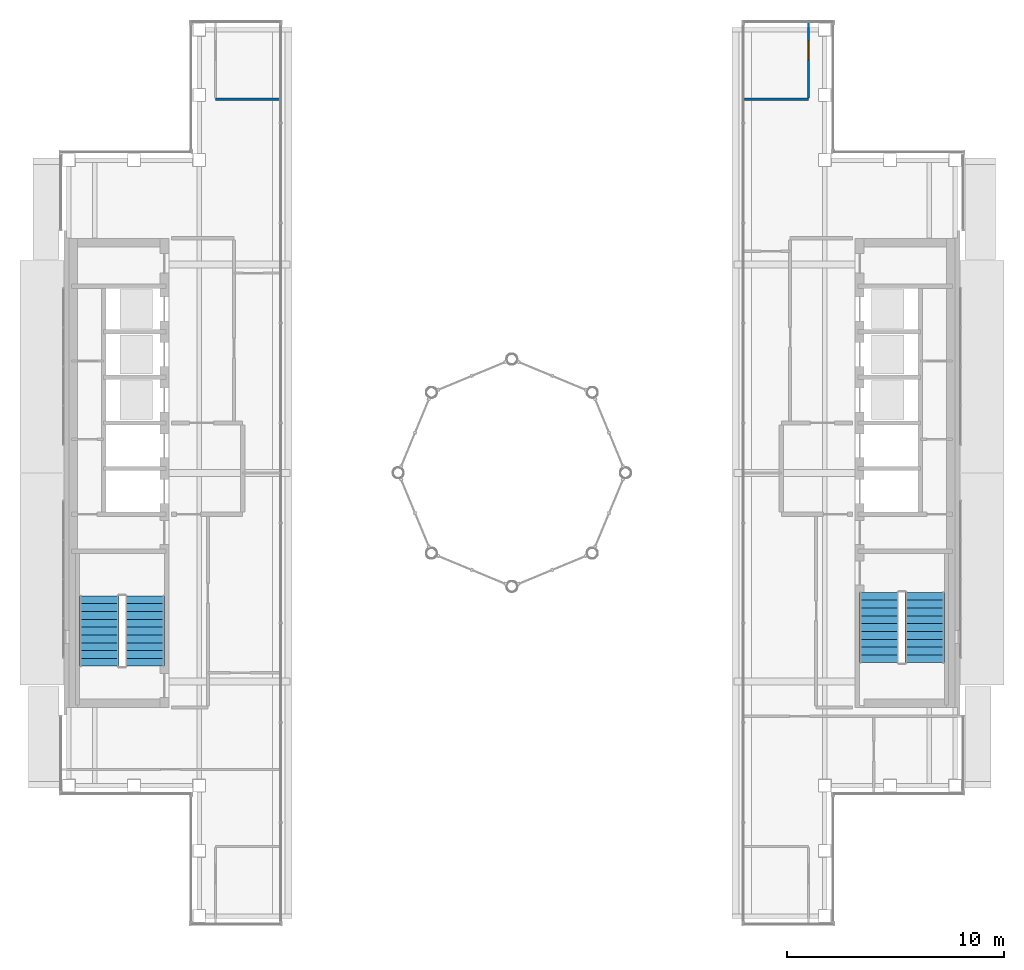
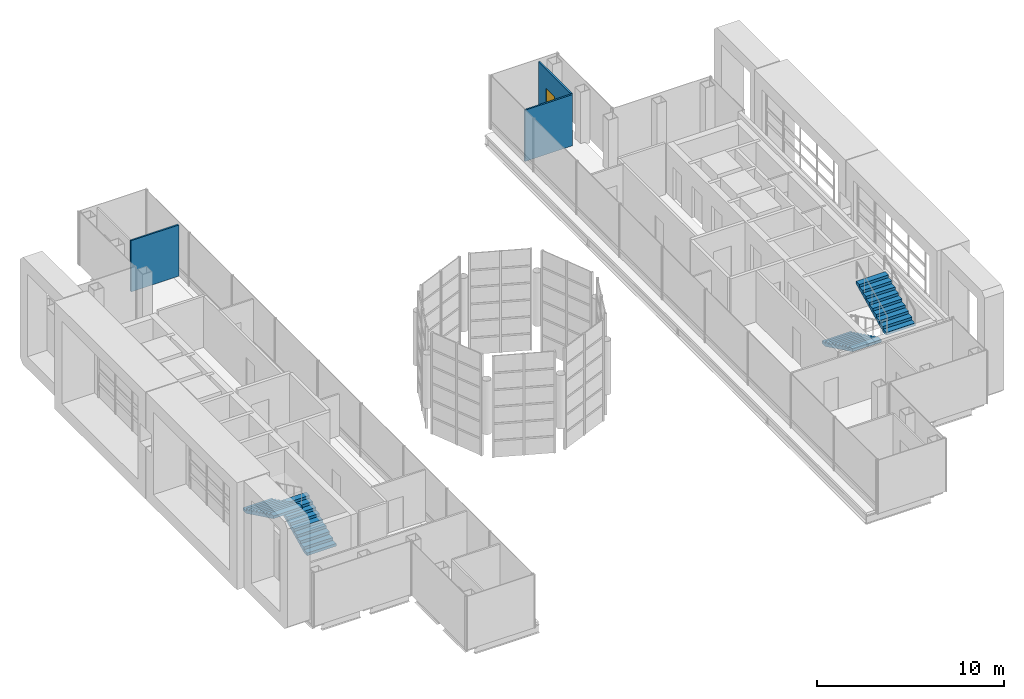
# One storey, part 15 of 21: 4 stair flights, 3 walls, 1 door, 1 opening, 2 elements without a shape of their own.
"""IFC4 building model written with IfcOpenShell, lengths in metres."""

from ifc_helpers import new_model, si_unit, direction, frame, frame_2d, origin, place, context, subcontext, project, spatial, polyline, rectangle, outline, extrude, material, layer, layer_set, type_object, element, fill, aggregate, save


model = new_model("IFC4")

# Units and contexts
model_context = context("Model", 3, precision=1e-05, world=origin(), true_north=direction((0.0, 1.0)))
body_context = subcontext(model_context, "Body", "Model", "MODEL_VIEW")
ifc_project = project(units=[si_unit("LENGTHUNIT", "METRE"), si_unit("AREAUNIT", "SQUARE_METRE"), si_unit("VOLUMEUNIT", "CUBIC_METRE"), si_unit("PLANEANGLEUNIT", "RADIAN"), si_unit("MASSUNIT", "GRAM", prefix="KILO")], contexts=[model_context])

# Site, building, storey
site_placement = place(None, origin())
site = spatial("IfcSite", under=ifc_project, at=site_placement, CompositionType="ELEMENT")
building_placement = place(site_placement, origin())
building = spatial("IfcBuilding", under=site, at=building_placement, Name="Cobrizo Arcos Hotel Tower", CompositionType="ELEMENT")
storey_placement = place(building_placement, frame((0.0, 0.0, 283.0)))
storey = spatial("IfcBuildingStorey", under=building, at=storey_placement, Name="L75", CompositionType="ELEMENT", Elevation=283.0)

# Walls
ifc_material_1 = material(Name="Gypsum board partition")
ifc_layer = layer(ifc_material_1, 0.10009765625)
ifc_layer_set = layer_set([ifc_layer], Name="Partition EI 30 100")
wall_type = type_object("IfcWallType", Name="Partition EI 30 100", PredefinedType="PARTITIONING", material=ifc_layer_set)
for number, where, z_axis, x_axis, name in (
    (1, (-13.64990234375, 17.199951171875, 0.0), (0.0, 0.0, 1.0), (1.0, 0.0, 0.0), "Partition 036"),
    (2, (10.696044921875, 17.199951171875, 0.0), (0.0, 0.0, 1.0), (1.0, 0.0, 0.0), "Partition 037"),
):
    element("IfcWall", number, at=place(storey_placement, frame(where, z_axis=z_axis, x_axis=x_axis)), inside=storey, type_object=wall_type, Name=name, PredefinedType="PARTITIONING", context=body_context, shape_type="SweptSolid", body=[
        extrude(rectangle(XDim=2.953857421875, YDim=0.10009765625, at=frame_2d((1.47705078125, 0.0))), origin(), (0.0, 0.0, 1.0), 3.35009765625),
    ])

# Wall, opening, door
wall_placement = place(storey_placement, frame((13.64990234375, 17.25, 0.0), z_axis=(0.0, 0.0, 1.0), x_axis=(0.0, 1.0, 0.0)))
wall = element("IfcWall", 3, at=wall_placement, inside=storey, type_object=wall_type, Name="Partition 048", PredefinedType="PARTITIONING", context=body_context, shape_type="SweptSolid", body=[
    extrude(rectangle(XDim=3.47998046875, YDim=0.10009765625, at=frame_2d((1.739990234375, 0.0))), origin(), (0.0, 0.0, 1.0), 3.35009765625),
])
opening_placement = place(wall_placement, frame((1.739990234375, 0.0, 0.0)))
opening = element("IfcOpeningElement", 4, at=opening_placement, cuts=wall, Name="Opening ED-03", PredefinedType="OPENING", context=body_context, shape_type="SweptSolid", body=[
    extrude(rectangle(XDim=0.89990234375, YDim=2.10009765625, at=frame_2d((0.449951171875, 1.050048828125))), frame((0.0, 0.06201171875, 0.0), z_axis=(0.0, -1.0, 0.0), x_axis=(1.0, 0.0, 0.0)), (0.0, 0.0, 1.0), 0.1240234375),
])
ifc_material_2 = material(Name="Timber door leaf", Category="wood")
door_type = type_object("IfcDoorType", Name="En-suite door 900x2100", OperationType="SINGLE_SWING_LEFT", PredefinedType="DOOR", material=ifc_material_2)
door_placement = place(opening_placement, origin())
door = element("IfcDoor", 5, at=door_placement, inside=storey, type_object=door_type, Name="Door ED-03", OperationType="SINGLE_SWING_RIGHT", OverallHeight=2.10009765625, OverallWidth=0.89990234375, PredefinedType="DOOR", context=body_context, shape_type="SweptSolid", body=[
    extrude(rectangle(XDim=0.89990234375, YDim=2.10009765625, at=frame_2d((0.449951171875, 1.050048828125))), frame((0.0, 0.02490234375, 0.0), z_axis=(0.0, -1.0, 0.0), x_axis=(1.0, 0.0, 0.0)), (0.0, 0.0, 1.0), 0.050048828125),
])
fill(opening, door)

# Stair, stair flights
ifc_material_3 = material(Name="Concrete f'c 40 MPa", Category="concrete")
stair_type = type_object("IfcStairType", Name="Exit stair", PredefinedType="HALF_TURN_STAIR", material=ifc_material_3)
stair_1_placement = place(storey_placement, origin())
stair_1 = element("IfcStair", 6, at=stair_1_placement, inside=storey, type_object=stair_type, Name="L75 Exit stair ST-W", PredefinedType="HALF_TURN_STAIR")
stair_flight_type = type_object("IfcStairFlightType", Name="Exit stair flight", PredefinedType="STRAIGHT", material=ifc_material_3)
stair_flight_1_placement = place(storey_placement, frame((-16.89990234375, -8.89990234375, 0.0), z_axis=(0.0, 0.0, 1.0), x_axis=(0.0, 1.0, 0.0)))
stair_flight_1 = element("IfcStairFlight", 7, at=stair_flight_1_placement, type_object=stair_flight_type, Name="ST-W flight 1", NumberOfRisers=10, NumberOfTreads=9, PredefinedType="STRAIGHT", RiserHeight=0.175, TreadLength=0.36, context=body_context, shape_type="SweptSolid", body=[
    extrude(outline(polyline([(0.0, 0.0), (0.0, 0.175048828125), (0.360107421875, 0.175048828125), (0.360107421875, 0.35009765625), (0.719970703125, 0.35009765625), (0.719970703125, 0.52490234375), (1.080078125, 0.52490234375), (1.080078125, 0.699951171875), (1.43994140625, 0.699951171875), (1.43994140625, 0.875), (1.800048828125, 0.875), (1.800048828125, 1.050048828125), (2.159912109375, 1.050048828125), (2.159912109375, 1.22509765625), (2.52001953125, 1.22509765625), (2.52001953125, 1.39990234375), (2.8798828125, 1.39990234375), (2.8798828125, 1.574951171875), (3.239990234375, 1.574951171875), (3.239990234375, 1.75), (3.239990234375, 1.408203125), (0.3427734375, 0.0), (0.0, 0.0)])), frame((0.0, 0.89990234375, 0.0), z_axis=(0.0, -1.0, 0.0), x_axis=(1.0, 0.0, 0.0)), (0.0, 0.0, 1.0), 1.800048828125),
])
stair_flight_2_placement = place(storey_placement, frame((-19.0, -5.659912109375, 1.75), z_axis=(0.0, 0.0, 1.0), x_axis=(0.0, -1.0, 0.0)))
stair_flight_2 = element("IfcStairFlight", 8, at=stair_flight_2_placement, type_object=stair_flight_type, Name="ST-W flight 2", NumberOfRisers=10, NumberOfTreads=9, PredefinedType="STRAIGHT", RiserHeight=0.175, TreadLength=0.36, context=body_context, shape_type="SweptSolid", body=[
    extrude(outline(polyline([(0.0, 0.0), (0.0, 0.175048828125), (0.360107421875, 0.175048828125), (0.360107421875, 0.35009765625), (0.719970703125, 0.35009765625), (0.719970703125, 0.52490234375), (1.080078125, 0.52490234375), (1.080078125, 0.699951171875), (1.43994140625, 0.699951171875), (1.43994140625, 0.875), (1.800048828125, 0.875), (1.800048828125, 1.050048828125), (2.159912109375, 1.050048828125), (2.159912109375, 1.22509765625), (2.52001953125, 1.22509765625), (2.52001953125, 1.39990234375), (2.8798828125, 1.39990234375), (2.8798828125, 1.574951171875), (3.239990234375, 1.574951171875), (3.239990234375, 1.75), (3.239990234375, 1.408203125), (0.3427734375, 0.0), (0.0, 0.0)])), frame((0.0, 0.89990234375, 0.0), z_axis=(0.0, -1.0, 0.0), x_axis=(1.0, 0.0, 0.0)), (0.0, 0.0, 1.0), 1.800048828125),
])
aggregate(stair_1, [stair_flight_1, stair_flight_2])

stair_2_placement = place(storey_placement, origin())
stair_2 = element("IfcStair", 9, at=stair_2_placement, inside=storey, type_object=stair_type, Name="L75 Exit stair ST-E", PredefinedType="HALF_TURN_STAIR")
stair_flight_3_placement = place(storey_placement, frame((16.89990234375, -5.5, 0.0), z_axis=(0.0, 0.0, 1.0), x_axis=(0.0, -1.0, 0.0)))
stair_flight_3 = element("IfcStairFlight", 10, at=stair_flight_3_placement, type_object=stair_flight_type, Name="ST-E flight 1", NumberOfRisers=10, NumberOfTreads=9, PredefinedType="STRAIGHT", RiserHeight=0.175, TreadLength=0.36, context=body_context, shape_type="SweptSolid", body=[
    extrude(outline(polyline([(0.0, 0.0), (0.0, 0.175048828125), (0.360107421875, 0.175048828125), (0.360107421875, 0.35009765625), (0.719970703125, 0.35009765625), (0.719970703125, 0.52490234375), (1.080078125, 0.52490234375), (1.080078125, 0.699951171875), (1.43994140625, 0.699951171875), (1.43994140625, 0.875), (1.800048828125, 0.875), (1.800048828125, 1.050048828125), (2.159912109375, 1.050048828125), (2.159912109375, 1.22509765625), (2.52001953125, 1.22509765625), (2.52001953125, 1.39990234375), (2.8798828125, 1.39990234375), (2.8798828125, 1.574951171875), (3.239990234375, 1.574951171875), (3.239990234375, 1.75), (3.239990234375, 1.408203125), (0.3427734375, 0.0), (0.0, 0.0)])), frame((0.0, 0.89990234375, 0.0), z_axis=(0.0, -1.0, 0.0), x_axis=(1.0, 0.0, 0.0)), (0.0, 0.0, 1.0), 1.800048828125),
])
stair_flight_4_placement = place(storey_placement, frame((19.0, -8.739990234375, 1.75), z_axis=(0.0, 0.0, 1.0), x_axis=(0.0, 1.0, 0.0)))
stair_flight_4 = element("IfcStairFlight", 11, at=stair_flight_4_placement, type_object=stair_flight_type, Name="ST-E flight 2", NumberOfRisers=10, NumberOfTreads=9, PredefinedType="STRAIGHT", RiserHeight=0.175, TreadLength=0.36, context=body_context, shape_type="SweptSolid", body=[
    extrude(outline(polyline([(0.0, 0.0), (0.0, 0.175048828125), (0.360107421875, 0.175048828125), (0.360107421875, 0.35009765625), (0.719970703125, 0.35009765625), (0.719970703125, 0.52490234375), (1.080078125, 0.52490234375), (1.080078125, 0.699951171875), (1.43994140625, 0.699951171875), (1.43994140625, 0.875), (1.800048828125, 0.875), (1.800048828125, 1.050048828125), (2.159912109375, 1.050048828125), (2.159912109375, 1.22509765625), (2.52001953125, 1.22509765625), (2.52001953125, 1.39990234375), (2.8798828125, 1.39990234375), (2.8798828125, 1.574951171875), (3.239990234375, 1.574951171875), (3.239990234375, 1.75), (3.239990234375, 1.408203125), (0.3427734375, 0.0), (0.0, 0.0)])), frame((0.0, 0.89990234375, 0.0), z_axis=(0.0, -1.0, 0.0), x_axis=(1.0, 0.0, 0.0)), (0.0, 0.0, 1.0), 1.800048828125),
])
aggregate(stair_2, [stair_flight_3, stair_flight_4])

save(model, "model.ifc")
